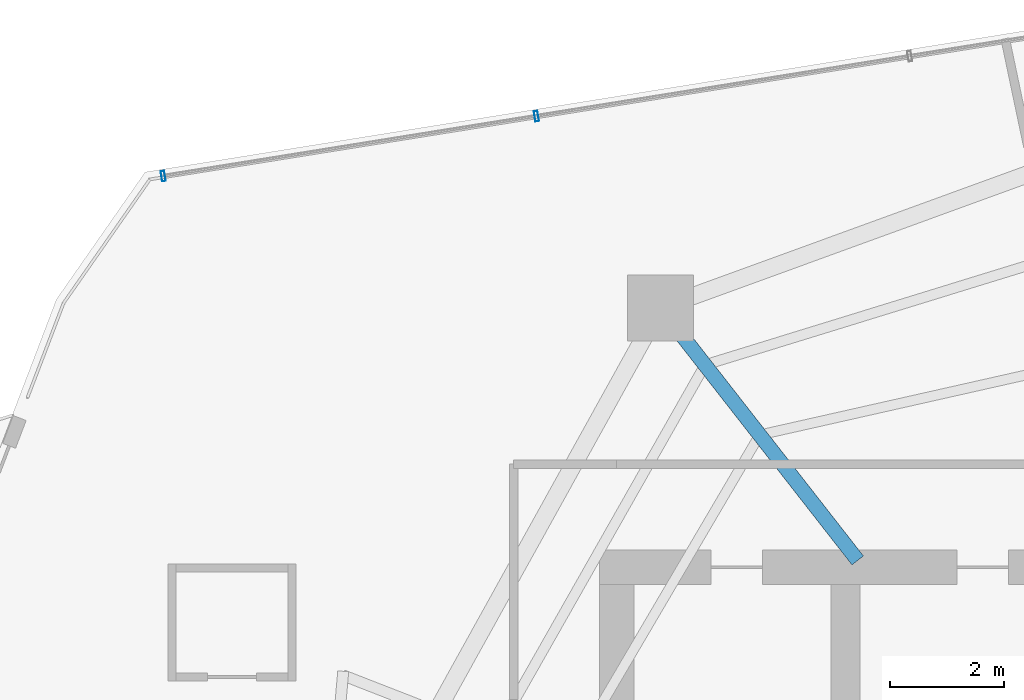
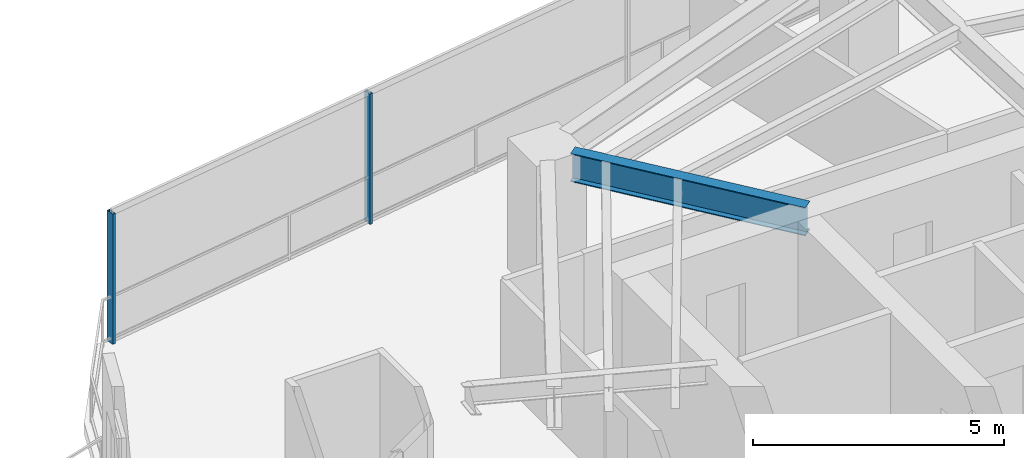
# One storey, part 16 of 27: 2 members, 1 beam, 1 element without a shape of its own.
"""IFC4 building model written with IfcOpenShell, lengths in metres."""

import ifcopenshell
import ifcopenshell.guid

model = None  # the IFC model being written
_history = None  # IfcOwnerHistory: only IFC2X3 demands one
_inside = {}  # id of a spatial element -> (the spatial element, [elements in it])
_under = {}  # id of a project, library or spatial element -> (it, [spatial elements below it])
_declared = {}  # id of a project -> (the project, [libraries it declares])
_typed = {}  # id of a type object -> (the type object, [elements of that type])
_made_of = {}  # id of a material, layer set ... -> (it, [elements and type objects made of it])


def new_model(schema):
    """Start an empty IFC model of exactly this schema.

    Asked for "IFC4X3", IfcOpenShell would pick the latest addendum, in which some entities
    have other attributes; the version numbers below select the first issue.
    IFC2X3 requires an IfcOwnerHistory on every rooted entity: one is made here for all.
    """
    global model, _history
    if schema == "IFC4X3":
        model = ifcopenshell.file(schema_version=(4, 3, 0, 0))
    else:
        model = ifcopenshell.file(schema=schema)
    _inside.clear()
    _under.clear()
    _declared.clear()
    _typed.clear()
    _made_of.clear()
    _history = None
    if model.schema == "IFC2X3":
        org = make("IfcOrganization", Name="unknown")
        user = make(
            "IfcPersonAndOrganization",
            ThePerson=make("IfcPerson", FamilyName="unknown"),
            TheOrganization=org,
        )
        app = make(
            "IfcApplication",
            ApplicationDeveloper=org,
            Version="unknown",
            ApplicationFullName="unknown",
            ApplicationIdentifier="unknown",
        )
        _history = make(
            "IfcOwnerHistory",
            OwningUser=user,
            OwningApplication=app,
            ChangeAction="ADDED",
            CreationDate=0,
        )
    return model


def make(cls, **values):
    """One entity of the class cls with the attributes given. An attribute that is None is left unset."""
    return model.create_entity(
        cls, **{name: value for name, value in values.items() if value is not None}
    )


def rooted(cls, **values):
    """An entity with a GlobalId (a new one), such as an element, a storey or a relation."""
    return make(cls, GlobalId=ifcopenshell.guid.new(), OwnerHistory=_history, **values)


def si_unit(unit_type, name, prefix=None):
    """IfcSIUnit, for example si_unit("LENGTHUNIT", "METRE", prefix="MILLI")."""
    return make("IfcSIUnit", UnitType=unit_type, Prefix=prefix, Name=name)


def assignment(units):
    """IfcUnitAssignment: the units of a project."""
    return None if units is None else make("IfcUnitAssignment", Units=units)


def point(xyz):
    """IfcCartesianPoint."""
    return None if xyz is None else make("IfcCartesianPoint", Coordinates=xyz)


def direction(xyz):
    """IfcDirection."""
    return None if xyz is None else make("IfcDirection", DirectionRatios=xyz)


def frame(location, z_axis=None, x_axis=None):
    """IfcAxis2Placement3D, a coordinate frame: its origin and axes. An axis left out is left unset."""
    return make(
        "IfcAxis2Placement3D",
        Location=point(location),
        Axis=direction(z_axis),
        RefDirection=direction(x_axis),
    )


def frame_2d(location, x_axis=None):
    """IfcAxis2Placement2D, a coordinate frame in the plane: its origin and x axis."""
    return make(
        "IfcAxis2Placement2D", Location=point(location), RefDirection=direction(x_axis)
    )


def origin():
    """The frame at (0, 0, 0) with its axes left unset."""
    return frame((0.0, 0.0, 0.0))


def origin_2d():
    """The frame at (0, 0) in the plane with its x axis left unset."""
    return frame_2d((0.0, 0.0))


def place(relative_to, where):
    """IfcLocalPlacement: puts the frame where relative to a parent placement (None: the world)."""
    return make(
        "IfcLocalPlacement", PlacementRelTo=relative_to, RelativePlacement=where
    )


def context(
    kind, dimensions, precision=None, world=None, true_north=None, identifier=None
):
    """IfcGeometricRepresentationContext, for example the 3D "Model" context."""
    return make(
        "IfcGeometricRepresentationContext",
        ContextIdentifier=identifier,
        ContextType=kind,
        CoordinateSpaceDimension=dimensions,
        Precision=precision,
        WorldCoordinateSystem=world,
        TrueNorth=true_north,
    )


def subcontext(parent, identifier, kind, view, scale=None):
    """IfcGeometricRepresentationSubContext, for example "Body" below "Model"."""
    return make(
        "IfcGeometricRepresentationSubContext",
        ContextIdentifier=identifier,
        ContextType=kind,
        ParentContext=parent,
        TargetScale=scale,
        TargetView=view,
    )


def project(units=None, contexts=None):
    """IfcProject with its units and contexts."""
    return rooted(
        "IfcProject",
        Name="project",
        RepresentationContexts=contexts,
        UnitsInContext=assignment(units),
    )


def spatial(cls, under=None, at=None, **own):
    """A site, building, storey or space (cls), placed at a placement, below another one or the project."""
    s = rooted(cls, ObjectPlacement=at, **own)
    if under is not None:
        _under.setdefault(under.id(), (under, []))[1].append(s)
    return s


def profile(cls, at=None, kind="AREA", **sizes):
    """A parametric profile (cls). Its sizes go by their IFC names, for example OverallWidth=200.0."""
    return make(cls, ProfileType=kind, Position=at, **sizes)


def hollow_rectangle(**sizes):
    """IfcRectangleHollowProfileDef."""
    return profile("IfcRectangleHollowProfileDef", **sizes)


def i_section(**sizes):
    """IfcIShapeProfileDef."""
    return profile("IfcIShapeProfileDef", **sizes)


def extrude(swept, where, along, depth):
    """IfcExtrudedAreaSolid: the profile swept, set in the frame where, extruded along a direction by depth."""
    return make(
        "IfcExtrudedAreaSolid",
        SweptArea=swept,
        Position=where,
        ExtrudedDirection=direction(along),
        Depth=depth,
    )


def shape(context_of_items, identifier, shape_type, items):
    """IfcShapeRepresentation: the items that make up one representation, for example the "Body"."""
    return make(
        "IfcShapeRepresentation",
        ContextOfItems=context_of_items,
        RepresentationIdentifier=identifier,
        RepresentationType=shape_type,
        Items=items,
    )


def material(Name=None, Category=None):
    """IfcMaterial."""
    return make("IfcMaterial", Name=Name, Category=Category)


def layer(
    of_material, thickness, ventilated=None, Name=None, Category=None, Priority=None
):
    """IfcMaterialLayer: one layer of a wall or slab, of a material (None: an air gap)."""
    return make(
        "IfcMaterialLayer",
        Material=of_material,
        LayerThickness=thickness,
        IsVentilated=ventilated,
        Name=Name,
        Category=Category,
        Priority=Priority,
    )


def layer_set(layers, Name=None):
    """IfcMaterialLayerSet."""
    return make("IfcMaterialLayerSet", MaterialLayers=layers, LayerSetName=Name)


def material_profile(
    of_material, cross_section, Name=None, Category=None, Priority=None
):
    """IfcMaterialProfile: a cross section and its material."""
    return make(
        "IfcMaterialProfile",
        Name=Name,
        Material=of_material,
        Profile=cross_section,
        Priority=Priority,
        Category=Category,
    )


def profile_set(profiles, Name=None, composite=None):
    """IfcMaterialProfileSet."""
    return make(
        "IfcMaterialProfileSet",
        Name=Name,
        MaterialProfiles=profiles,
        CompositeProfile=composite,
    )


def made_of(thing, what):
    """Note that an element or type object is made of a material, layer set ...; save() writes the relation."""
    if what is not None:
        _made_of.setdefault(what.id(), (what, []))[1].append(thing)
    return thing


def type_object(cls, material=None, **own):
    """A type object (cls), such as IfcWallType, which elements share."""
    return made_of(rooted(cls, **own), material)


def element(
    cls,
    number,
    at=None,
    inside=None,
    cuts=None,
    type_object=None,
    material=None,
    context=None,
    identifier="Body",
    shape_type=None,
    held_by="IfcProductDefinitionShape",
    body=None,
    shapes=None,
    **own,
):
    """One element of the class cls, such as IfcWall. Its Tag is "e" and its number.

    at: its placement. inside: the storey or other place that contains it. cuts: it is an
    opening in that element (IfcRelVoidsElement). A single representation is given by context,
    identifier, shape_type and body (its items); several are given by shapes. held_by: the class
    of the entity that holds the representations. save() writes the other relations.
    """
    e = rooted(cls, Tag="e%d" % number, ObjectPlacement=at, **own)
    if body is not None:
        shapes = [shape(context, identifier, shape_type, body)]
    if shapes is not None:
        e.Representation = make(held_by, Representations=shapes)
    if inside is not None:
        _inside.setdefault(inside.id(), (inside, []))[1].append(e)
    if cuts is not None:
        rooted(
            "IfcRelVoidsElement", RelatingBuildingElement=cuts, RelatedOpeningElement=e
        )
    if type_object is not None:
        _typed.setdefault(type_object.id(), (type_object, []))[1].append(e)
    return made_of(e, material)


def aggregate(whole, parts):
    """IfcRelAggregates: a whole, such as a stair, and the parts it consists of."""
    return rooted("IfcRelAggregates", RelatingObject=whole, RelatedObjects=parts)


def save(model, path):
    """Write the relations noted so far, then the file.

    IfcRelAggregates (storeys below a building ...), IfcRelContainedInSpatialStructure (elements
    in a storey), IfcRelDefinesByType, IfcRelAssociatesMaterial and IfcRelDeclares: one each for
    every whole, place, type object, material and project.
    """
    for whole, parts in _under.values():
        aggregate(whole, parts)
    for where, things in _inside.values():
        rooted(
            "IfcRelContainedInSpatialStructure",
            RelatedElements=things,
            RelatingStructure=where,
        )
    for kind, things in _typed.values():
        rooted("IfcRelDefinesByType", RelatedObjects=things, RelatingType=kind)
    for what, things in _made_of.values():
        rooted("IfcRelAssociatesMaterial", RelatedObjects=things, RelatingMaterial=what)
    for by, libraries in _declared.values():
        rooted("IfcRelDeclares", RelatingContext=by, RelatedDefinitions=libraries)
    model.write(path)


model = new_model("IFC4")

# Units and contexts
model_context = context("Model", 3, precision=1e-05, world=origin(), true_north=direction((0.0, 1.0)))
body_context = subcontext(model_context, "Body", "Model", "MODEL_VIEW")
ifc_project = project(units=[si_unit("LENGTHUNIT", "METRE"), si_unit("AREAUNIT", "SQUARE_METRE"), si_unit("VOLUMEUNIT", "CUBIC_METRE"), si_unit("PLANEANGLEUNIT", "RADIAN"), si_unit("MASSUNIT", "GRAM", prefix="KILO")], contexts=[model_context])

# Site, building, storey
site_placement = place(None, origin())
site = spatial("IfcSite", under=ifc_project, at=site_placement, CompositionType="ELEMENT")
building_placement = place(site_placement, origin())
building = spatial("IfcBuilding", under=site, at=building_placement, Name="Qarnah Convention Tower", CompositionType="ELEMENT")
storey_placement = place(building_placement, frame((0.0, 0.0, 100.5)))
storey = spatial("IfcBuildingStorey", under=building, at=storey_placement, Name="L26", CompositionType="ELEMENT", Elevation=100.5)

# Beam
ifc_material_1 = material(Name="Structural steel S355JR", Category="steel")
ifc_material_profile_1 = material_profile(ifc_material_1, i_section(OverallWidth=0.25390625, OverallDepth=0.68798828125, WebThickness=0.012939453125, FlangeThickness=0.02099609375, at=origin_2d()), Name="W690X152")
ifc_profile_set_1 = profile_set([ifc_material_profile_1], Name="Structural steel S355JR")
beam_type = type_object("IfcBeamType", Name="BM-RAD-W690", PredefinedType="BEAM", material=ifc_profile_set_1)
beam_placement = place(storey_placement, frame((31.013916015625, 34.318115234375, 2.825927734375), z_axis=(-0.61565061353, 0.788019239651, 0.0), x_axis=(-0.788019239651, -0.61565061353, 0.0)))
element("IfcBeam", 1, at=beam_placement, inside=storey, type_object=beam_type, Name="L26 beam BM-L26-RAD-04", PredefinedType="BEAM", context=body_context, shape_type="SweptSolid", body=[
    extrude(i_section(OverallWidth=0.25390625, OverallDepth=0.68798828125, WebThickness=0.012939453125, FlangeThickness=0.02099609375, at=origin_2d()), origin(), (0.0, 0.0, 1.0), 5.046630859375),
])

# Curtain wall, members
ifc_material_2 = material(Name="Tempered Low-E dark glass", Category="glass")
ifc_layer = layer(ifc_material_2, 0.169921875)
ifc_layer_set = layer_set([ifc_layer], Name="Tempered Low-E dark glass")
curtain_wall_type = type_object("IfcCurtainWallType", Name="CWS-02", PredefinedType="NOTDEFINED", material=ifc_layer_set)
curtain_wall_placement = place(storey_placement, origin())
curtain_wall = element("IfcCurtainWall", 2, at=curtain_wall_placement, inside=storey, type_object=curtain_wall_type, Name="L26 unitised curtain wall CW-L26-F3", PredefinedType="NOTDEFINED")
ifc_material_3 = material(Name="Black anodised aluminium", Category="aluminium")
ifc_material_profile_2 = material_profile(ifc_material_3, hollow_rectangle(XDim=0.06494140625, YDim=0.179931640625, WallThickness=0.00390625, at=origin_2d()), Name="MUL-65X180")
ifc_profile_set_2 = profile_set([ifc_material_profile_2], Name="Black anodised aluminium")
member_type = type_object("IfcMemberType", Name="MUL-T2", PredefinedType="MULLION", material=ifc_profile_set_2)
member_1_placement = place(storey_placement, frame((18.8740234375, 41.035888671875, 0.0), z_axis=(0.0, 0.0, 1.0), x_axis=(0.987357200045, 0.158511070653, 0.0)))
member_1 = element("IfcMember", 3, at=member_1_placement, type_object=member_type, Name="CW-L26-F3 mullion 1", PredefinedType="MULLION", context=body_context, shape_type="SweptSolid", body=[
    extrude(hollow_rectangle(XDim=0.06494140625, YDim=0.179931640625, WallThickness=0.00390625, at=origin_2d()), origin(), (0.0, 0.0, 1.0), 3.169921875),
])
member_2_placement = place(storey_placement, frame((25.398193359375, 42.08349609375, 0.0), z_axis=(0.0, 0.0, 1.0), x_axis=(0.987357200045, 0.158511070653, 0.0)))
member_2 = element("IfcMember", 4, at=member_2_placement, type_object=member_type, Name="CW-L26-F3 mullion 2", PredefinedType="MULLION", context=body_context, shape_type="SweptSolid", body=[
    extrude(hollow_rectangle(XDim=0.06494140625, YDim=0.179931640625, WallThickness=0.00390625, at=origin_2d()), origin(), (0.0, 0.0, 1.0), 3.169921875),
])
aggregate(curtain_wall, [member_1, member_2])

save(model, "model.ifc")
